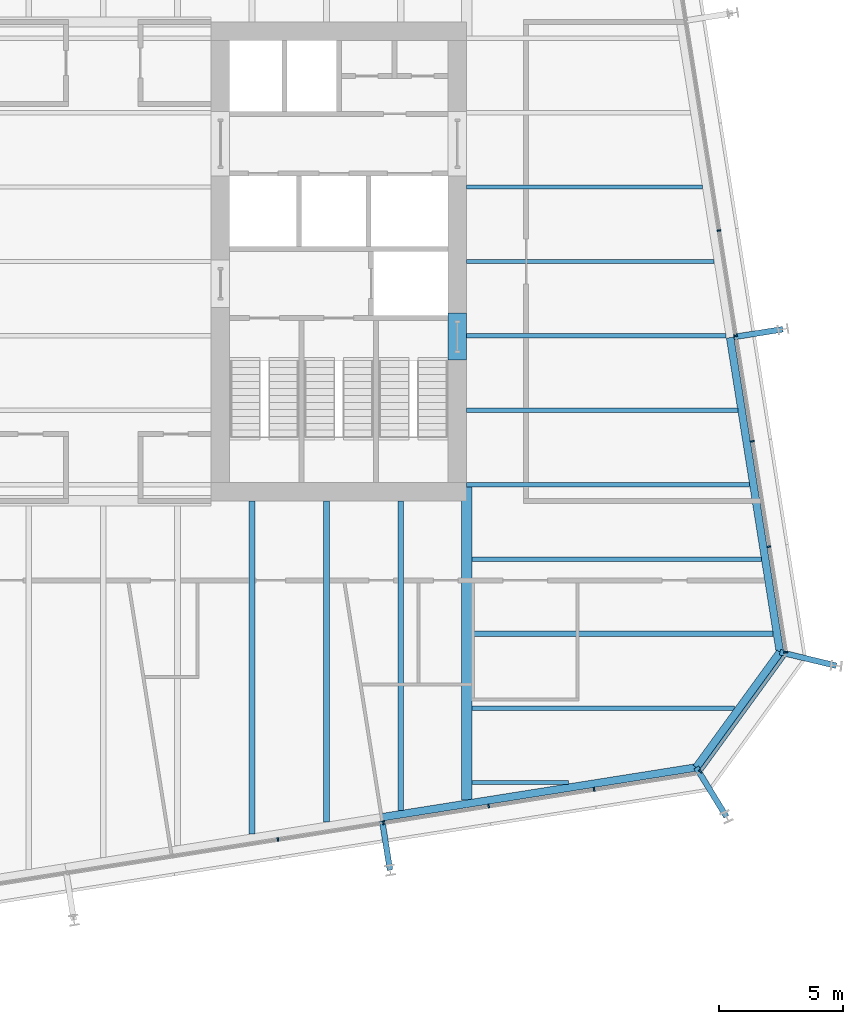
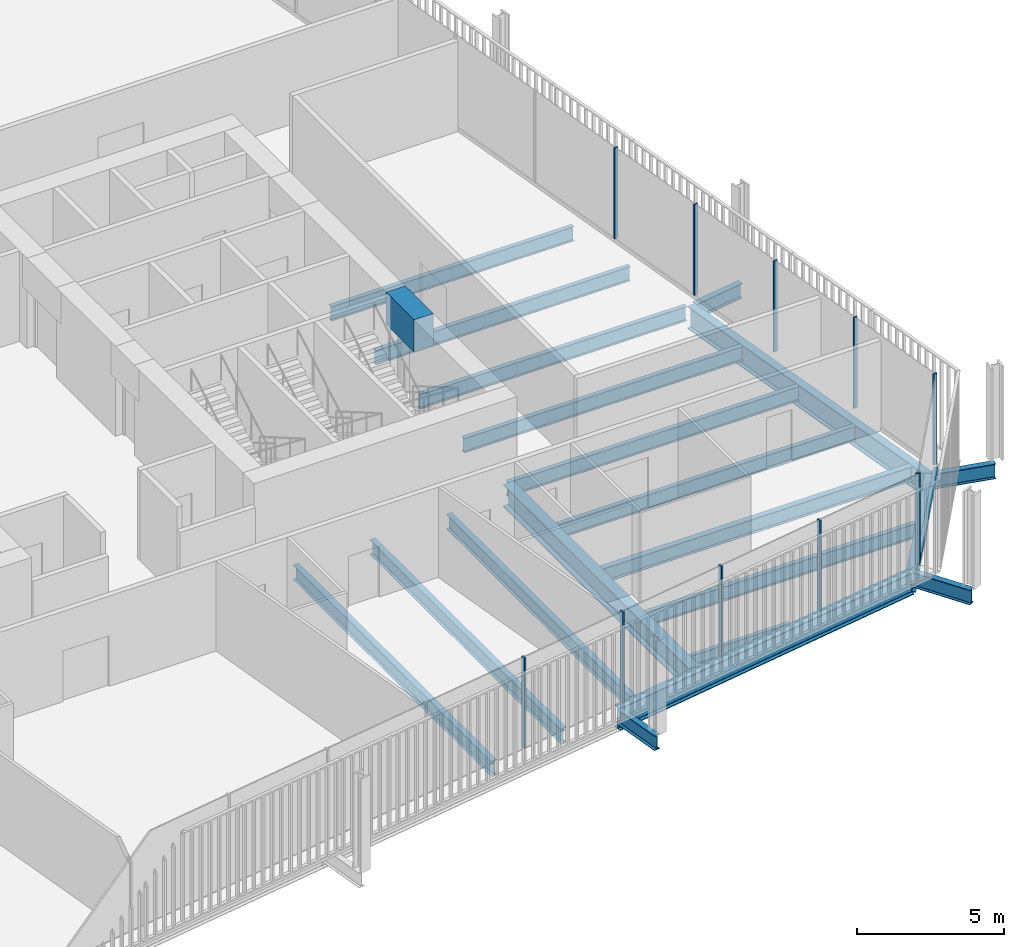
# One storey, part 8 of 21: 21 beams, 11 members, 3 elements without a shape of their own.
"""IFC4 building model written with IfcOpenShell, lengths in metres."""

from ifc_helpers import new_model, si_unit, direction, frame, origin, origin_2d, place, context, subcontext, project, spatial, rectangle, i_section, extrude, material, layer, layer_set, material_profile, profile_set, type_object, element, aggregate, save


model = new_model("IFC4")

# Units and contexts
model_context = context("Model", 3, precision=1e-05, world=origin(), true_north=direction((0.0, 1.0)))
body_context = subcontext(model_context, "Body", "Model", "MODEL_VIEW")
ifc_project = project(units=[si_unit("LENGTHUNIT", "METRE"), si_unit("AREAUNIT", "SQUARE_METRE"), si_unit("VOLUMEUNIT", "CUBIC_METRE"), si_unit("PLANEANGLEUNIT", "RADIAN"), si_unit("MASSUNIT", "GRAM", prefix="KILO")], contexts=[model_context])

# Site, building, storey
site_placement = place(None, origin())
site = spatial("IfcSite", under=ifc_project, at=site_placement, CompositionType="ELEMENT")
building_placement = place(site_placement, origin())
building = spatial("IfcBuilding", under=site, at=building_placement, Name="Millrace Tower", CompositionType="ELEMENT")
storey_placement = place(building_placement, frame((0.0, 0.0, 164.60009765625)))
storey = spatial("IfcBuildingStorey", under=building, at=storey_placement, Name="L37", CompositionType="ELEMENT", Elevation=164.60009765625)

# Curtain wall, members
ifc_material_1 = material(Name="Aluminium and glass", Category="aluminium")
ifc_layer = layer(ifc_material_1, 0.14990234375)
ifc_layer_set = layer_set([ifc_layer], Name="Aluminium and glass")
curtain_wall_type = type_object("IfcCurtainWallType", Name="CW-1 office vision curtain wall", PredefinedType="NOTDEFINED", material=ifc_layer_set)
placement = place(storey_placement, origin())
curtain_wall_1 = element("IfcCurtainWall", 1, at=placement, inside=storey, type_object=curtain_wall_type, Name="Curtain wall C-F02 L37", PredefinedType="NOTDEFINED")
ifc_material_2 = material(Name="Aluminium", Category="aluminium")
ifc_material_profile_1 = material_profile(ifc_material_2, rectangle(XDim=0.06494140625, YDim=0.14990234375, at=origin_2d()))
ifc_profile_set_1 = profile_set([ifc_material_profile_1], Name="Aluminium")
member_type_1 = type_object("IfcMemberType", Name="CW-1 office vision curtain wall mullion", PredefinedType="MULLION", material=ifc_profile_set_1)
member_1_placement = place(storey_placement, frame((7.04345703125, -23.293212890625, 0.139892578125), z_axis=(0.0, 0.0, 1.0), x_axis=(0.98768833929, 0.15643447328, 0.0)))
member_1 = element("IfcMember", 2, at=member_1_placement, type_object=member_type_1, Name="CW1 mullion C-F02.6", PredefinedType="MULLION", context=body_context, shape_type="SweptSolid", body=[
    extrude(rectangle(XDim=0.06494140625, YDim=0.14990234375, at=origin_2d()), origin(), (0.0, 0.0, 1.0), 3.760009765625),
])
member_2_placement = place(storey_placement, frame((11.29052734375, -22.62060546875, 0.139892578125), z_axis=(0.0, 0.0, 1.0), x_axis=(0.98768833929, 0.15643447328, 0.0)))
member_2 = element("IfcMember", 3, at=member_2_placement, type_object=member_type_1, Name="CW1 mullion C-F02.7", PredefinedType="MULLION", context=body_context, shape_type="SweptSolid", body=[
    extrude(rectangle(XDim=0.06494140625, YDim=0.14990234375, at=origin_2d()), origin(), (0.0, 0.0, 1.0), 3.760009765625),
])
member_3_placement = place(storey_placement, frame((15.53759765625, -21.947998046875, 0.139892578125), z_axis=(0.0, 0.0, 1.0), x_axis=(0.98768833929, 0.15643447328, 0.0)))
member_3 = element("IfcMember", 4, at=member_3_placement, type_object=member_type_1, Name="CW1 mullion C-F02.8", PredefinedType="MULLION", context=body_context, shape_type="SweptSolid", body=[
    extrude(rectangle(XDim=0.06494140625, YDim=0.14990234375, at=origin_2d()), origin(), (0.0, 0.0, 1.0), 3.760009765625),
])
member_4_placement = place(storey_placement, frame((19.78466796875, -21.275390625, 0.139892578125), z_axis=(0.0, 0.0, 1.0), x_axis=(0.98768833929, 0.15643447328, 0.0)))
member_4 = element("IfcMember", 5, at=member_4_placement, type_object=member_type_1, Name="CW1 mullion C-F02.9", PredefinedType="MULLION", context=body_context, shape_type="SweptSolid", body=[
    extrude(rectangle(XDim=0.06494140625, YDim=0.14990234375, at=origin_2d()), origin(), (0.0, 0.0, 1.0), 3.760009765625),
])
aggregate(curtain_wall_1, [member_1, member_2, member_3, member_4])

# Curtain wall, member
curtain_wall_2 = element("IfcCurtainWall", 6, at=placement, inside=storey, type_object=curtain_wall_type, Name="Curtain wall C-F03 L37", PredefinedType="NOTDEFINED")
member_5_placement = place(storey_placement, frame((24.06787109375, -20.551513671875, 0.139892578125), z_axis=(0.0, 0.0, 1.0), x_axis=(0.587785269844, 0.809016981623, 0.0)))
member_5 = element("IfcMember", 7, at=member_5_placement, type_object=member_type_1, Name="CW1 mullion C-F03.1", PredefinedType="MULLION", context=body_context, shape_type="SweptSolid", body=[
    extrude(rectangle(XDim=0.06494140625, YDim=0.14990234375, at=origin_2d()), origin(), (0.0, 0.0, 1.0), 3.760009765625),
])

# Curtain wall, members
curtain_wall_3 = element("IfcCurtainWall", 8, at=placement, inside=storey, type_object=curtain_wall_type, Name="Curtain wall C-F04 L37", PredefinedType="NOTDEFINED")
member_6_placement = place(storey_placement, frame((27.506591796875, -15.74169921875, 0.139892578125), z_axis=(0.0, 0.0, 1.0), x_axis=(-0.15643447328, 0.98768833929, 0.0)))
member_6 = element("IfcMember", 9, at=member_6_placement, type_object=member_type_1, Name="CW1 mullion C-F04.1", PredefinedType="MULLION", context=body_context, shape_type="SweptSolid", body=[
    extrude(rectangle(XDim=0.06494140625, YDim=0.14990234375, at=origin_2d()), origin(), (0.0, 0.0, 1.0), 3.760009765625),
])
member_7_placement = place(storey_placement, frame((26.833984375, -11.49462890625, 0.139892578125), z_axis=(0.0, 0.0, 1.0), x_axis=(-0.15643447328, 0.98768833929, 0.0)))
member_7 = element("IfcMember", 10, at=member_7_placement, type_object=member_type_1, Name="CW1 mullion C-F04.2", PredefinedType="MULLION", context=body_context, shape_type="SweptSolid", body=[
    extrude(rectangle(XDim=0.06494140625, YDim=0.14990234375, at=origin_2d()), origin(), (0.0, 0.0, 1.0), 3.760009765625),
])
member_8_placement = place(storey_placement, frame((26.161376953125, -7.24755859375, 0.139892578125), z_axis=(0.0, 0.0, 1.0), x_axis=(-0.15643447328, 0.98768833929, 0.0)))
member_8 = element("IfcMember", 11, at=member_8_placement, type_object=member_type_1, Name="CW1 mullion C-F04.3", PredefinedType="MULLION", context=body_context, shape_type="SweptSolid", body=[
    extrude(rectangle(XDim=0.06494140625, YDim=0.14990234375, at=origin_2d()), origin(), (0.0, 0.0, 1.0), 3.760009765625),
])
member_9_placement = place(storey_placement, frame((25.48876953125, -3.00048828125, 0.139892578125), z_axis=(0.0, 0.0, 1.0), x_axis=(-0.15643447328, 0.98768833929, 0.0)))
member_9 = element("IfcMember", 12, at=member_9_placement, type_object=member_type_1, Name="CW1 mullion C-F04.4", PredefinedType="MULLION", context=body_context, shape_type="SweptSolid", body=[
    extrude(rectangle(XDim=0.06494140625, YDim=0.14990234375, at=origin_2d()), origin(), (0.0, 0.0, 1.0), 3.760009765625),
])
member_10_placement = place(storey_placement, frame((24.81591796875, 1.24658203125, 0.139892578125), z_axis=(0.0, 0.0, 1.0), x_axis=(-0.15643447328, 0.98768833929, 0.0)))
member_10 = element("IfcMember", 13, at=member_10_placement, type_object=member_type_1, Name="CW1 mullion C-F04.5", PredefinedType="MULLION", context=body_context, shape_type="SweptSolid", body=[
    extrude(rectangle(XDim=0.06494140625, YDim=0.14990234375, at=origin_2d()), origin(), (0.0, 0.0, 1.0), 3.760009765625),
])
aggregate(curtain_wall_3, [member_6, member_7, member_8, member_9, member_10])

# Member
ifc_material_3 = material(Name="Aluminium", Category="aluminium")
ifc_material_profile_2 = material_profile(ifc_material_3, rectangle(XDim=0.14990234375, YDim=0.139892578125, at=origin_2d()))
ifc_profile_set_2 = profile_set([ifc_material_profile_2], Name="Aluminium")
member_type_2 = type_object("IfcMemberType", Name="CW-1 office vision curtain wall transom", PredefinedType="USERDEFINED", material=ifc_profile_set_2)
member_11_placement = place(storey_placement, frame((24.107421875, -20.496826171875, 0.06982421875), z_axis=(0.587810581339, 0.808998591139, 0.0), x_axis=(-0.808998591139, 0.587810581339, 0.0)))
member_11 = element("IfcMember", 14, at=member_11_placement, type_object=member_type_2, Name="CW1 transom C-F03.1", ObjectType="TRANSOM", PredefinedType="USERDEFINED", context=body_context, shape_type="SweptSolid", body=[
    extrude(rectangle(XDim=0.14990234375, YDim=0.139892578125, at=origin_2d()), origin(), (0.0, 0.0, 1.0), 5.6689453125),
])

aggregate(curtain_wall_2, [member_5, member_11])

# Beams
ifc_material_4 = material(Name="Concrete C70", Category="concrete")
ifc_material_profile_3 = material_profile(ifc_material_4, rectangle(XDim=0.75, YDim=1.340087890625, at=origin_2d()))
ifc_profile_set_3 = profile_set([ifc_material_profile_3], Name="Concrete C70")
beam_type_1 = type_object("IfcBeamType", Name="Coupling beam 750 x 1340 Concrete C70, 1300 opening", PredefinedType="BEAM", material=ifc_profile_set_3)
beam_1_placement = place(storey_placement, frame((14.27490234375, -2.080078125, 3.06982421875), z_axis=(0.0, -1.0, 0.0), x_axis=(1.0, 0.0, 0.0)))
element("IfcBeam", 15, at=beam_1_placement, inside=storey, type_object=beam_type_1, Name="Coupling beam E L37", PredefinedType="BEAM", context=body_context, shape_type="SweptSolid", body=[
    extrude(rectangle(XDim=0.75, YDim=1.340087890625, at=origin_2d()), origin(), (0.0, 0.0, 1.0), 1.89990234375),
])
ifc_material_5 = material(Name="Steel ASTM A992 Grade 50", Category="steel")
ifc_material_profile_4 = material_profile(ifc_material_5, i_section(OverallWidth=0.15234375, OverallDepth=0.449462890625, WebThickness=0.007568359375, FlangeThickness=0.0107421875, FilletRadius=0.01025390625, at=origin_2d()))
ifc_profile_set_4 = profile_set([ifc_material_profile_4], Name="Steel ASTM A992 Grade 50")
beam_type_2 = type_object("IfcBeamType", Name="Floor beam W18x35", PredefinedType="JOIST", material=ifc_profile_set_4)
beam_2_placement = place(storey_placement, frame((14.859619140625, -21.0, -0.384765625), z_axis=(1.0, 0.0, 0.0), x_axis=(0.0, 1.0, 0.0)))
element("IfcBeam", 16, at=beam_2_placement, inside=storey, type_object=beam_type_2, Name="BM-C-L37-S1-S003", PredefinedType="JOIST", context=body_context, shape_type="SweptSolid", body=[
    extrude(i_section(OverallWidth=0.15234375, OverallDepth=0.449462890625, WebThickness=0.007568359375, FlangeThickness=0.0107421875, FilletRadius=0.01025390625, at=origin_2d()), origin(), (0.0, 0.0, 1.0), 3.9033203125),
])
ifc_material_6 = material(Name="Steel ASTM A992 Grade 50", Category="steel")
ifc_material_profile_5 = material_profile(ifc_material_6, i_section(OverallWidth=0.177978515625, OverallDepth=0.599365234375, WebThickness=0.010009765625, FlangeThickness=0.012939453125, FilletRadius=0.012939453125, at=origin_2d()))
ifc_profile_set_5 = profile_set([ifc_material_profile_5], Name="Steel ASTM A992 Grade 50")
beam_type_3 = type_object("IfcBeamType", Name="Floor beam W24x55", PredefinedType="JOIST", material=ifc_profile_set_5)
beam_3_placement = place(storey_placement, frame((14.64990234375, 0.0, -0.459716796875), z_axis=(1.0, 0.0, 0.0), x_axis=(0.0, 1.0, 0.0)))
element("IfcBeam", 17, at=beam_3_placement, inside=storey, type_object=beam_type_3, Name="BM-C-L37-S1-S021", PredefinedType="JOIST", context=body_context, shape_type="SweptSolid", body=[
    extrude(i_section(OverallWidth=0.177978515625, OverallDepth=0.599365234375, WebThickness=0.010009765625, FlangeThickness=0.012939453125, FilletRadius=0.012939453125, at=origin_2d()), origin(), (0.0, 0.0, 1.0), 9.976318359375),
])
beam_4_placement = place(storey_placement, frame((14.64990234375, 3.0, -0.459716796875), z_axis=(1.0, 0.0, 0.0), x_axis=(0.0, 1.0, 0.0)))
element("IfcBeam", 18, at=beam_4_placement, inside=storey, type_object=beam_type_3, Name="BM-C-L37-S1-S024", PredefinedType="JOIST", context=body_context, shape_type="SweptSolid", body=[
    extrude(i_section(OverallWidth=0.177978515625, OverallDepth=0.599365234375, WebThickness=0.010009765625, FlangeThickness=0.012939453125, FilletRadius=0.012939453125, at=origin_2d()), origin(), (0.0, 0.0, 1.0), 9.501220703125),
])
ifc_material_7 = material(Name="Steel ASTM A992 Grade 50", Category="steel")
ifc_material_profile_6 = material_profile(ifc_material_7, i_section(OverallWidth=0.1787109375, OverallDepth=0.60205078125, WebThickness=0.010986328125, FlangeThickness=0.014892578125, FilletRadius=0.0126953125, at=origin_2d()))
ifc_profile_set_6 = profile_set([ifc_material_profile_6], Name="Steel ASTM A992 Grade 50")
beam_type_4 = type_object("IfcBeamType", Name="Floor beam W24x62", PredefinedType="JOIST", material=ifc_profile_set_6)
beam_5_placement = place(storey_placement, frame((14.859619140625, -12.0, -0.461181640625), z_axis=(1.0, 0.0, 0.0), x_axis=(0.0, 1.0, 0.0)))
element("IfcBeam", 19, at=beam_5_placement, inside=storey, type_object=beam_type_4, Name="BM-C-L37-S1-S009", PredefinedType="JOIST", context=body_context, shape_type="SweptSolid", body=[
    extrude(i_section(OverallWidth=0.1787109375, OverallDepth=0.60205078125, WebThickness=0.010986328125, FlangeThickness=0.014892578125, FilletRadius=0.0126953125, at=origin_2d()), origin(), (0.0, 0.0, 1.0), 11.667236328125),
])
beam_6_placement = place(storey_placement, frame((14.64990234375, -9.0, -0.461181640625), z_axis=(1.0, 0.0, 0.0), x_axis=(0.0, 1.0, 0.0)))
element("IfcBeam", 20, at=beam_6_placement, inside=storey, type_object=beam_type_4, Name="BM-C-L37-S1-S012", PredefinedType="JOIST", context=body_context, shape_type="SweptSolid", body=[
    extrude(i_section(OverallWidth=0.1787109375, OverallDepth=0.60205078125, WebThickness=0.010986328125, FlangeThickness=0.014892578125, FilletRadius=0.0126953125, at=origin_2d()), origin(), (0.0, 0.0, 1.0), 11.40185546875),
])
beam_7_placement = place(storey_placement, frame((14.64990234375, -6.0, -0.461181640625), z_axis=(1.0, 0.0, 0.0), x_axis=(0.0, 1.0, 0.0)))
element("IfcBeam", 21, at=beam_7_placement, inside=storey, type_object=beam_type_4, Name="BM-C-L37-S1-S015", PredefinedType="JOIST", context=body_context, shape_type="SweptSolid", body=[
    extrude(i_section(OverallWidth=0.1787109375, OverallDepth=0.60205078125, WebThickness=0.010986328125, FlangeThickness=0.014892578125, FilletRadius=0.0126953125, at=origin_2d()), origin(), (0.0, 0.0, 1.0), 10.9267578125),
])
beam_8_placement = place(storey_placement, frame((14.64990234375, -3.0, -0.461181640625), z_axis=(1.0, 0.0, 0.0), x_axis=(0.0, 1.0, 0.0)))
element("IfcBeam", 22, at=beam_8_placement, inside=storey, type_object=beam_type_4, Name="BM-C-L37-S1-S018", PredefinedType="JOIST", context=body_context, shape_type="SweptSolid", body=[
    extrude(i_section(OverallWidth=0.1787109375, OverallDepth=0.60205078125, WebThickness=0.010986328125, FlangeThickness=0.014892578125, FilletRadius=0.0126953125, at=origin_2d()), origin(), (0.0, 0.0, 1.0), 10.45166015625),
])
beam_9_placement = place(storey_placement, frame((14.859619140625, -18.0, -0.461181640625), z_axis=(1.0, 0.0, 0.0), x_axis=(0.0, 1.0, 0.0)))
element("IfcBeam", 23, at=beam_9_placement, inside=storey, type_object=beam_type_4, Name="BM-C-L37-S1-S005", PredefinedType="JOIST", context=body_context, shape_type="SweptSolid", body=[
    extrude(i_section(OverallWidth=0.1787109375, OverallDepth=0.60205078125, WebThickness=0.010986328125, FlangeThickness=0.014892578125, FilletRadius=0.0126953125, at=origin_2d()), origin(), (0.0, 0.0, 1.0), 10.577392578125),
])
ifc_material_8 = material(Name="Steel ASTM A992 Grade 50", Category="steel")
ifc_material_profile_7 = material_profile(ifc_material_8, i_section(OverallWidth=0.228271484375, OverallDepth=0.607177734375, WebThickness=0.01123046875, FlangeThickness=0.017333984375, FilletRadius=0.0126953125, at=origin_2d()))
ifc_profile_set_7 = profile_set([ifc_material_profile_7], Name="Steel ASTM A992 Grade 50")
beam_type_5 = type_object("IfcBeamType", Name="Floor beam W24x76", PredefinedType="JOIST", material=ifc_profile_set_7)
beam_10_placement = place(storey_placement, frame((14.859619140625, -15.0, -0.463623046875), z_axis=(1.0, 0.0, 0.0), x_axis=(0.0, 1.0, 0.0)))
element("IfcBeam", 24, at=beam_10_placement, inside=storey, type_object=beam_type_5, Name="BM-C-L37-S1-S007", PredefinedType="JOIST", context=body_context, shape_type="SweptSolid", body=[
    extrude(i_section(OverallWidth=0.228271484375, OverallDepth=0.607177734375, WebThickness=0.01123046875, FlangeThickness=0.017333984375, FilletRadius=0.0126953125, at=origin_2d()), origin(), (0.0, 0.0, 1.0), 12.142578125),
])
beam_11_placement = place(storey_placement, frame((6.0, -23.071533203125, -0.463623046875), z_axis=(0.0, 1.0, 0.0), x_axis=(-1.0, 0.0, 0.0)))
element("IfcBeam", 25, at=beam_11_placement, inside=storey, type_object=beam_type_5, Name="BM-C-L37-S1-S052", PredefinedType="JOIST", context=body_context, shape_type="SweptSolid", body=[
    extrude(i_section(OverallWidth=0.228271484375, OverallDepth=0.607177734375, WebThickness=0.01123046875, FlangeThickness=0.017333984375, FilletRadius=0.0126953125, at=origin_2d()), origin(), (0.0, 0.0, 1.0), 13.421630859375),
])
beam_12_placement = place(storey_placement, frame((9.0, -22.596435546875, -0.463623046875), z_axis=(0.0, 1.0, 0.0), x_axis=(-1.0, 0.0, 0.0)))
element("IfcBeam", 26, at=beam_12_placement, inside=storey, type_object=beam_type_5, Name="BM-C-L37-S1-S054", PredefinedType="JOIST", context=body_context, shape_type="SweptSolid", body=[
    extrude(i_section(OverallWidth=0.228271484375, OverallDepth=0.607177734375, WebThickness=0.01123046875, FlangeThickness=0.017333984375, FilletRadius=0.0126953125, at=origin_2d()), origin(), (0.0, 0.0, 1.0), 12.946533203125),
])
beam_13_placement = place(storey_placement, frame((12.0, -22.12109375, -0.463623046875), z_axis=(0.0, 1.0, 0.0), x_axis=(-1.0, 0.0, 0.0)))
element("IfcBeam", 27, at=beam_13_placement, inside=storey, type_object=beam_type_5, Name="BM-C-L37-S1-S056", PredefinedType="JOIST", context=body_context, shape_type="SweptSolid", body=[
    extrude(i_section(OverallWidth=0.228271484375, OverallDepth=0.607177734375, WebThickness=0.01123046875, FlangeThickness=0.017333984375, FilletRadius=0.0126953125, at=origin_2d()), origin(), (0.0, 0.0, 1.0), 12.47119140625),
])
ifc_material_9 = material(Name="Steel ASTM A992 Grade 50", Category="steel")
ifc_material_profile_8 = material_profile(ifc_material_9, i_section(OverallWidth=0.419189453125, OverallDepth=0.927001953125, WebThickness=0.019287109375, FlangeThickness=0.031982421875, FilletRadius=0.024169921875, at=origin_2d()))
ifc_profile_set_8 = profile_set([ifc_material_profile_8], Name="Steel ASTM A992 Grade 50")
beam_type_6 = type_object("IfcBeamType", Name="Girder medium span W36x231", PredefinedType="BEAM", material=ifc_profile_set_8)
beam_14_placement = place(storey_placement, frame((14.64990234375, -21.693603515625, -0.62353515625), z_axis=(0.0, 1.0, 0.0), x_axis=(-1.0, 0.0, 0.0)))
element("IfcBeam", 28, at=beam_14_placement, inside=storey, type_object=beam_type_6, Name="BM-C-L37-S1-G060", PredefinedType="BEAM", context=body_context, shape_type="SweptSolid", body=[
    extrude(i_section(OverallWidth=0.419189453125, OverallDepth=0.927001953125, WebThickness=0.019287109375, FlangeThickness=0.031982421875, FilletRadius=0.024169921875, at=origin_2d()), origin(), (0.0, 0.0, 1.0), 12.603515625),
])
ifc_material_10 = material(Name="Steel ASTM A992 Grade 50", Category="steel")
ifc_material_profile_9 = material_profile(ifc_material_10, i_section(OverallWidth=0.23046875, OverallDepth=0.6171875, WebThickness=0.01318359375, FlangeThickness=0.022216796875, FilletRadius=0.012939453125, at=origin_2d()))
ifc_profile_set_9 = profile_set([ifc_material_profile_9], Name="Steel ASTM A992 Grade 50")
beam_type_7 = type_object("IfcBeamType", Name="Link beam W24x94", PredefinedType="BEAM", material=ifc_profile_set_9)
beam_15_placement = place(storey_placement, frame((25.419677734375, -3.04443359375, -0.46875), z_axis=(0.987678691416, 0.156495375404, 0.0), x_axis=(-0.156495375404, 0.987678691416, 0.0)))
element("IfcBeam", 29, at=beam_15_placement, inside=storey, type_object=beam_type_7, Name="LNK-C-L37-S1-11", PredefinedType="BEAM", context=body_context, shape_type="SweptSolid", body=[
    extrude(i_section(OverallWidth=0.23046875, OverallDepth=0.6171875, WebThickness=0.01318359375, FlangeThickness=0.022216796875, FilletRadius=0.012939453125, at=origin_2d()), origin(), (0.0, 0.0, 1.0), 2.0),
])
beam_16_placement = place(storey_placement, frame((27.27587890625, -15.746826171875, -0.46875), z_axis=(0.972373041068, -0.233432364948, 0.0), x_axis=(0.233432364948, 0.972373041068, 0.0)))
element("IfcBeam", 30, at=beam_16_placement, inside=storey, type_object=beam_type_7, Name="LNK-C-L37-S1-12", PredefinedType="BEAM", context=body_context, shape_type="SweptSolid", body=[
    extrude(i_section(OverallWidth=0.23046875, OverallDepth=0.6171875, WebThickness=0.01318359375, FlangeThickness=0.022216796875, FilletRadius=0.012939453125, at=origin_2d()), origin(), (0.0, 0.0, 1.0), 2.331298828125),
])
beam_17_placement = place(storey_placement, frame((23.901123046875, -20.391845703125, -0.46875), z_axis=(0.522512938711, -0.852631355792, 0.0), x_axis=(0.852631355792, 0.522512938711, 0.0)))
element("IfcBeam", 31, at=beam_17_placement, inside=storey, type_object=beam_type_7, Name="LNK-C-L37-S1-13", PredefinedType="BEAM", context=body_context, shape_type="SweptSolid", body=[
    extrude(i_section(OverallWidth=0.23046875, OverallDepth=0.6171875, WebThickness=0.01318359375, FlangeThickness=0.022216796875, FilletRadius=0.012939453125, at=origin_2d()), origin(), (0.0, 0.0, 1.0), 2.3310546875),
])
beam_18_placement = place(storey_placement, frame((11.246826171875, -22.5517578125, -0.46875), z_axis=(0.15637629034, -0.987697552806, 0.0), x_axis=(0.987697552806, 0.15637629034, 0.0)))
element("IfcBeam", 32, at=beam_18_placement, inside=storey, type_object=beam_type_7, Name="LNK-C-L37-S1-14", PredefinedType="BEAM", context=body_context, shape_type="SweptSolid", body=[
    extrude(i_section(OverallWidth=0.23046875, OverallDepth=0.6171875, WebThickness=0.01318359375, FlangeThickness=0.022216796875, FilletRadius=0.012939453125, at=origin_2d()), origin(), (0.0, 0.0, 1.0), 2.0),
])
ifc_material_11 = material(Name="Steel ASTM A992 Grade 50", Category="steel")
ifc_material_profile_10 = material_profile(ifc_material_11, i_section(OverallWidth=0.307373046875, OverallDepth=0.927001953125, WebThickness=0.01953125, FlangeThickness=0.031982421875, FilletRadius=0.01904296875, at=origin_2d()))
ifc_profile_set_10 = profile_set([ifc_material_profile_10], Name="Steel ASTM A992 Grade 50")
beam_type_8 = type_object("IfcBeamType", Name="Ring beam medium span W36x194", PredefinedType="SPANDREL", material=ifc_profile_set_10)
for number, where, z_axis, x_axis, name in (
    (33, (25.267822265625, -3.068359375, -0.62353515625), (0.15643330783, -0.987688523879, 0.0), (0.987688523879, 0.15643330783, 0.0), "RNG-C-L37-S1-11"),
    (34, (23.901123046875, -20.391845703125, -0.62353515625), (-0.987688523879, -0.15643330783, 0.0), (0.15643330783, -0.987688523879, 0.0), "RNG-C-L37-S1-13"),
):
    element("IfcBeam", number, at=place(storey_placement, frame(where, z_axis=z_axis, x_axis=x_axis)), inside=storey, type_object=beam_type_8, Name=name, PredefinedType="SPANDREL", context=body_context, shape_type="SweptSolid", body=[
        extrude(i_section(OverallWidth=0.307373046875, OverallDepth=0.927001953125, WebThickness=0.01953125, FlangeThickness=0.031982421875, FilletRadius=0.01904296875, at=origin_2d()), origin(), (0.0, 0.0, 1.0), 12.83642578125),
    ])
ifc_material_12 = material(Name="Steel ASTM A992 Grade 50", Category="steel")
ifc_material_profile_11 = material_profile(ifc_material_12, i_section(OverallWidth=0.307373046875, OverallDepth=0.927001953125, WebThickness=0.01953125, FlangeThickness=0.031982421875, FilletRadius=0.01904296875, at=origin_2d()))
ifc_profile_set_11 = profile_set([ifc_material_profile_11], Name="Steel ASTM A992 Grade 50")
beam_type_9 = type_object("IfcBeamType", Name="Ring beam short span W36x194", PredefinedType="SPANDREL", material=ifc_profile_set_11)
beam_19_placement = place(storey_placement, frame((27.27587890625, -15.746826171875, -0.62353515625), z_axis=(-0.58777973792, -0.809021000772, 0.0), x_axis=(0.809021000772, -0.58777973792, 0.0)))
element("IfcBeam", 35, at=beam_19_placement, inside=storey, type_object=beam_type_9, Name="RNG-C-L37-S1-12", PredefinedType="SPANDREL", context=body_context, shape_type="SweptSolid", body=[
    extrude(i_section(OverallWidth=0.307373046875, OverallDepth=0.927001953125, WebThickness=0.01953125, FlangeThickness=0.031982421875, FilletRadius=0.01904296875, at=origin_2d()), origin(), (0.0, 0.0, 1.0), 5.741455078125),
])

save(model, "model.ifc")
